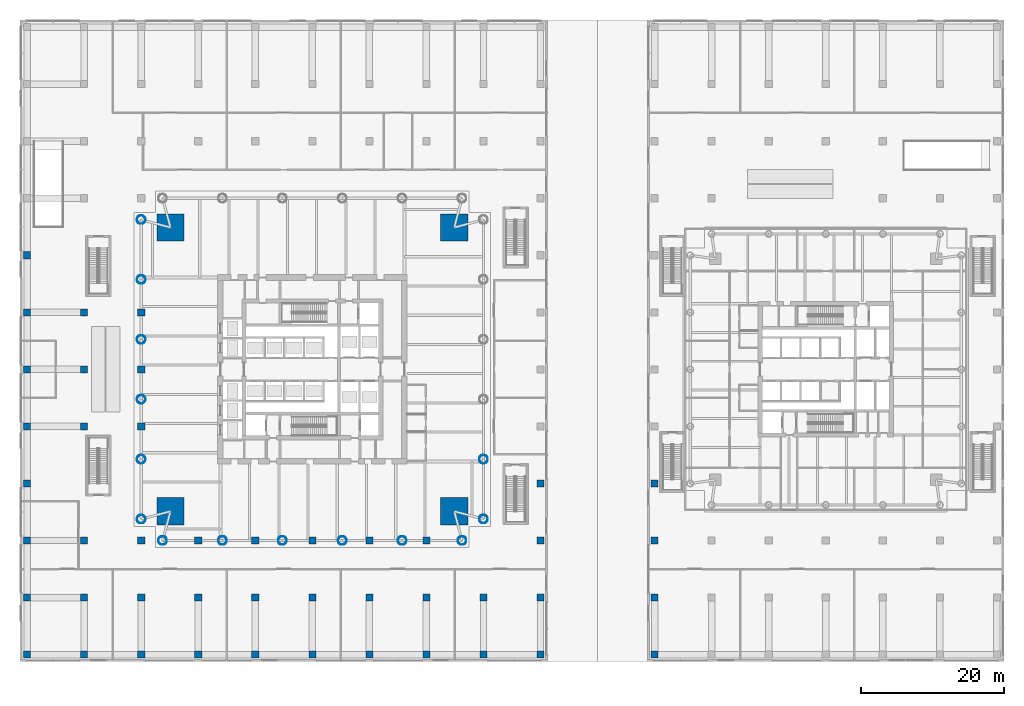
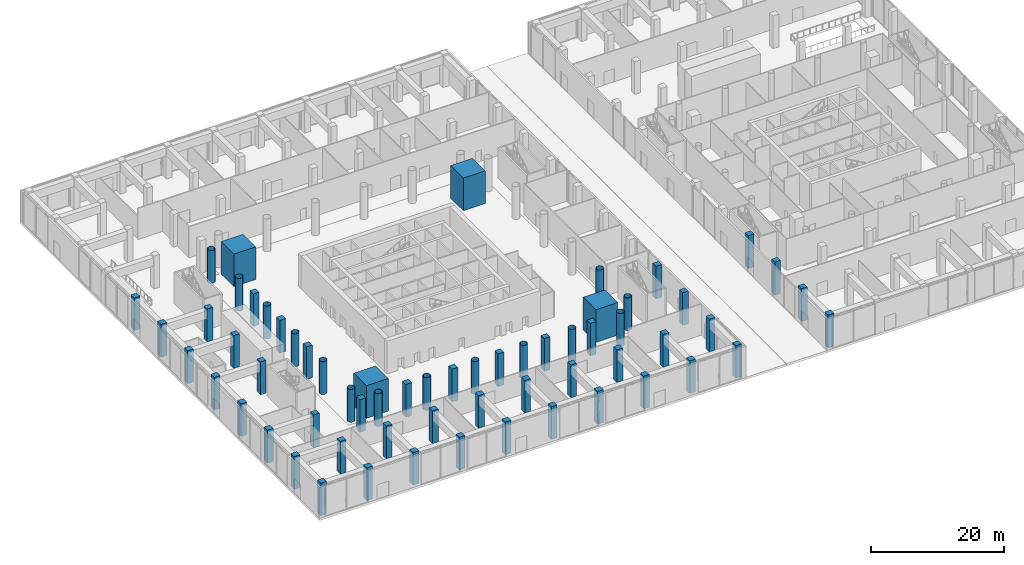
# One storey, part 1 of 39: 63 columns.
"""IFC4 building model written with IfcOpenShell, lengths in metres."""

from ifc_helpers import new_model, si_unit, direction, frame, origin, origin_2d, place, context, subcontext, project, spatial, rectangle, hollow_circle, extrude, material, material_profile, profile_set, type_object, element, save


model = new_model("IFC4")

# Units and contexts
model_context = context("Model", 3, precision=1e-05, world=origin(), true_north=direction((0.0, 1.0)))
body_context = subcontext(model_context, "Body", "Model", "MODEL_VIEW")
ifc_project = project(units=[si_unit("LENGTHUNIT", "METRE"), si_unit("AREAUNIT", "SQUARE_METRE"), si_unit("VOLUMEUNIT", "CUBIC_METRE"), si_unit("PLANEANGLEUNIT", "RADIAN"), si_unit("MASSUNIT", "GRAM", prefix="KILO")], contexts=[model_context])

# Site, building, storey
site_placement = place(None, origin())
site = spatial("IfcSite", under=ifc_project, at=site_placement, CompositionType="ELEMENT")
building_placement = place(site_placement, origin())
building = spatial("IfcBuilding", under=site, at=building_placement, Name="Ostroluk Exchange", CompositionType="ELEMENT")
storey_placement = place(building_placement, origin())
storey = spatial("IfcBuildingStorey", under=building, at=storey_placement, Name="L00", CompositionType="ELEMENT", Elevation=0.0)

# Columns
ifc_material_1 = material(Name="Concrete C50/60", Category="concrete")
ifc_material_profile_1 = material_profile(ifc_material_1, rectangle(XDim=3.800048828125, YDim=3.800048828125, at=origin_2d()), Name="RC 3800x3800")
ifc_profile_set_1 = profile_set([ifc_material_profile_1], Name="Concrete C50/60")
column_type_1 = type_object("IfcColumnType", Name="Mega column RC 3800x3800", PredefinedType="COLUMN", material=ifc_profile_set_1)
for number, where, z_axis, x_axis, name in (
    (1, (64.89990234375, 65.89990234375, 0.0), (0.0, 0.0, 1.0), (1.0, 0.0, 0.0), "T1 mega column NE"),
    (2, (25.10009765625, 65.89990234375, 0.0), (0.0, 0.0, 1.0), (1.0, 0.0, 0.0), "T1 mega column NW"),
    (3, (25.10009765625, 26.10009765625, 0.0), (0.0, 0.0, 1.0), (1.0, 0.0, 0.0), "T1 mega column SW"),
    (4, (64.89990234375, 26.10009765625, 0.0), (0.0, 0.0, 1.0), (1.0, 0.0, 0.0), "T1 mega column SE"),
):
    element("IfcColumn", number, at=place(storey_placement, frame(where, z_axis=z_axis, x_axis=x_axis)), inside=storey, type_object=column_type_1, Name=name, PredefinedType="COLUMN", context=body_context, shape_type="SweptSolid", body=[
        extrude(rectangle(XDim=3.800048828125, YDim=3.800048828125, at=origin_2d()), origin(), (0.0, 0.0, 1.0), 6.0),
    ])
ifc_material_2 = material(Name="Steel S460", Category="steel")
ifc_material_profile_2 = material_profile(ifc_material_2, hollow_circle(Radius=0.609619140625, WallThickness=0.0400390625, at=origin_2d()), Name="CHS 1219x40")
ifc_profile_set_2 = profile_set([ifc_material_profile_2], Name="Steel S460")
column_type_2 = type_object("IfcColumnType", Name="Perimeter column CHS 1219x40", PredefinedType="COLUMN", material=ifc_profile_set_2)
for number, where, z_axis, x_axis, name in (
    (5, (69.0, 25.0, 0.0), (0.0, 0.0, 1.0), (1.0, 0.0, 0.0), "T1 east face column E0"),
    (6, (69.0, 33.39990234375, 0.0), (0.0, 0.0, 1.0), (1.0, 0.0, 0.0), "T1 east face column I1"),
    (7, (21.0, 67.0, 0.0), (0.0, 0.0, 1.0), (1.0, 0.0, 0.0), "T1 west face column E0"),
    (8, (21.0, 25.0, 0.0), (0.0, 0.0, 1.0), (1.0, 0.0, 0.0), "T1 west face column E1"),
    (9, (21.0, 58.60009765625, 0.0), (0.0, 0.0, 1.0), (1.0, 0.0, 0.0), "T1 west face column I1"),
    (10, (21.0, 50.199951171875, 0.0), (0.0, 0.0, 1.0), (1.0, 0.0, 0.0), "T1 west face column I2"),
    (11, (21.0, 41.800048828125, 0.0), (0.0, 0.0, 1.0), (1.0, 0.0, 0.0), "T1 west face column I3"),
    (12, (21.0, 33.39990234375, 0.0), (0.0, 0.0, 1.0), (1.0, 0.0, 0.0), "T1 west face column I4"),
    (13, (24.0, 22.0, 0.0), (0.0, 0.0, 1.0), (1.0, 0.0, 0.0), "T1 south face column E0"),
    (14, (66.0, 22.0, 0.0), (0.0, 0.0, 1.0), (1.0, 0.0, 0.0), "T1 south face column E1"),
    (15, (32.39990234375, 22.0, 0.0), (0.0, 0.0, 1.0), (1.0, 0.0, 0.0), "T1 south face column I1"),
    (16, (40.800048828125, 22.0, 0.0), (0.0, 0.0, 1.0), (1.0, 0.0, 0.0), "T1 south face column I2"),
    (17, (49.199951171875, 22.0, 0.0), (0.0, 0.0, 1.0), (1.0, 0.0, 0.0), "T1 south face column I3"),
    (18, (57.60009765625, 22.0, 0.0), (0.0, 0.0, 1.0), (1.0, 0.0, 0.0), "T1 south face column I4"),
):
    element("IfcColumn", number, at=place(storey_placement, frame(where, z_axis=z_axis, x_axis=x_axis)), inside=storey, type_object=column_type_2, Name=name, PredefinedType="COLUMN", context=body_context, shape_type="SweptSolid", body=[
        extrude(hollow_circle(Radius=0.609619140625, WallThickness=0.0400390625, at=origin_2d()), origin(), (0.0, 0.0, 1.0), 6.0),
    ])
ifc_material_3 = material(Name="Concrete C50/60", Category="concrete")
ifc_material_profile_3 = material_profile(ifc_material_3, rectangle(XDim=1.0, YDim=1.0, at=origin_2d()), Name="RC 1000x1000")
ifc_profile_set_3 = profile_set([ifc_material_profile_3], Name="Concrete C50/60")
column_type_3 = type_object("IfcColumnType", Name="Podium column RC 1000x1000", PredefinedType="COLUMN", material=ifc_profile_set_3)
for number, where, z_axis, x_axis, name in (
    (19, (5.0, 6.0, 0.0), (0.0, 0.0, 1.0), (1.0, 0.0, 0.0), "Podium column 5/6"),
    (20, (5.0, 14.0, 0.0), (0.0, 0.0, 1.0), (1.0, 0.0, 0.0), "Podium column 5/14"),
    (21, (5.0, 22.0, 0.0), (0.0, 0.0, 1.0), (1.0, 0.0, 0.0), "Podium column 5/22"),
    (22, (5.0, 30.0, 0.0), (0.0, 0.0, 1.0), (1.0, 0.0, 0.0), "Podium column 5/30"),
    (23, (5.0, 38.0, 0.0), (0.0, 0.0, 1.0), (1.0, 0.0, 0.0), "Podium column 5/38"),
    (24, (5.0, 46.0, 0.0), (0.0, 0.0, 1.0), (1.0, 0.0, 0.0), "Podium column 5/46"),
    (25, (5.0, 54.0, 0.0), (0.0, 0.0, 1.0), (1.0, 0.0, 0.0), "Podium column 5/54"),
    (26, (5.0, 62.0, 0.0), (0.0, 0.0, 1.0), (1.0, 0.0, 0.0), "Podium column 5/62"),
    (27, (13.0, 6.0, 0.0), (0.0, 0.0, 1.0), (1.0, 0.0, 0.0), "Podium column 13/6"),
    (28, (13.0, 14.0, 0.0), (0.0, 0.0, 1.0), (1.0, 0.0, 0.0), "Podium column 13/14"),
    (29, (13.0, 22.0, 0.0), (0.0, 0.0, 1.0), (1.0, 0.0, 0.0), "Podium column 13/22"),
    (30, (13.0, 38.0, 0.0), (0.0, 0.0, 1.0), (1.0, 0.0, 0.0), "Podium column 13/38"),
    (31, (13.0, 46.0, 0.0), (0.0, 0.0, 1.0), (1.0, 0.0, 0.0), "Podium column 13/46"),
    (32, (13.0, 54.0, 0.0), (0.0, 0.0, 1.0), (1.0, 0.0, 0.0), "Podium column 13/54"),
    (33, (21.0, 6.0, 0.0), (0.0, 0.0, 1.0), (1.0, 0.0, 0.0), "Podium column 21/6"),
    (34, (21.0, 14.0, 0.0), (0.0, 0.0, 1.0), (1.0, 0.0, 0.0), "Podium column 21/14"),
    (35, (29.0, 6.0, 0.0), (0.0, 0.0, 1.0), (1.0, 0.0, 0.0), "Podium column 29/6"),
    (36, (29.0, 14.0, 0.0), (0.0, 0.0, 1.0), (1.0, 0.0, 0.0), "Podium column 29/14"),
    (37, (37.0, 6.0, 0.0), (0.0, 0.0, 1.0), (1.0, 0.0, 0.0), "Podium column 37/6"),
    (38, (37.0, 14.0, 0.0), (0.0, 0.0, 1.0), (1.0, 0.0, 0.0), "Podium column 37/14"),
    (39, (45.0, 6.0, 0.0), (0.0, 0.0, 1.0), (1.0, 0.0, 0.0), "Podium column 45/6"),
    (40, (45.0, 14.0, 0.0), (0.0, 0.0, 1.0), (1.0, 0.0, 0.0), "Podium column 45/14"),
    (41, (53.0, 6.0, 0.0), (0.0, 0.0, 1.0), (1.0, 0.0, 0.0), "Podium column 53/6"),
    (42, (53.0, 14.0, 0.0), (0.0, 0.0, 1.0), (1.0, 0.0, 0.0), "Podium column 53/14"),
    (43, (61.0, 6.0, 0.0), (0.0, 0.0, 1.0), (1.0, 0.0, 0.0), "Podium column 61/6"),
    (44, (61.0, 14.0, 0.0), (0.0, 0.0, 1.0), (1.0, 0.0, 0.0), "Podium column 61/14"),
    (45, (69.0, 6.0, 0.0), (0.0, 0.0, 1.0), (1.0, 0.0, 0.0), "Podium column 69/6"),
    (46, (69.0, 14.0, 0.0), (0.0, 0.0, 1.0), (1.0, 0.0, 0.0), "Podium column 69/14"),
    (47, (77.0, 6.0, 0.0), (0.0, 0.0, 1.0), (1.0, 0.0, 0.0), "Podium column 77/6"),
    (48, (77.0, 14.0, 0.0), (0.0, 0.0, 1.0), (1.0, 0.0, 0.0), "Podium column 77/14"),
    (49, (77.0, 22.0, 0.0), (0.0, 0.0, 1.0), (1.0, 0.0, 0.0), "Podium column 77/22"),
    (50, (77.0, 30.0, 0.0), (0.0, 0.0, 1.0), (1.0, 0.0, 0.0), "Podium column 77/30"),
    (51, (93.0, 6.0, 0.0), (0.0, 0.0, 1.0), (1.0, 0.0, 0.0), "Podium column 93/6"),
    (52, (93.0, 14.0, 0.0), (0.0, 0.0, 1.0), (1.0, 0.0, 0.0), "Podium column 93/14"),
    (53, (93.0, 22.0, 0.0), (0.0, 0.0, 1.0), (1.0, 0.0, 0.0), "Podium column 93/22"),
    (54, (93.0, 30.0, 0.0), (0.0, 0.0, 1.0), (1.0, 0.0, 0.0), "Podium column 93/30"),
    (55, (21.0, 22.0, 0.0), (0.0, 0.0, 1.0), (1.0, 0.0, 0.0), "Podium column 21/22"),
    (56, (29.0, 22.0, 0.0), (0.0, 0.0, 1.0), (1.0, 0.0, 0.0), "Podium column 29/22"),
    (57, (37.0, 22.0, 0.0), (0.0, 0.0, 1.0), (1.0, 0.0, 0.0), "Podium column 37/22"),
    (58, (45.0, 22.0, 0.0), (0.0, 0.0, 1.0), (1.0, 0.0, 0.0), "Podium column 45/22"),
    (59, (53.0, 22.0, 0.0), (0.0, 0.0, 1.0), (1.0, 0.0, 0.0), "Podium column 53/22"),
    (60, (61.0, 22.0, 0.0), (0.0, 0.0, 1.0), (1.0, 0.0, 0.0), "Podium column 61/22"),
    (61, (21.0, 38.0, 0.0), (0.0, 0.0, 1.0), (1.0, 0.0, 0.0), "Podium column 21/38"),
    (62, (21.0, 46.0, 0.0), (0.0, 0.0, 1.0), (1.0, 0.0, 0.0), "Podium column 21/46"),
    (63, (21.0, 54.0, 0.0), (0.0, 0.0, 1.0), (1.0, 0.0, 0.0), "Podium column 21/54"),
):
    element("IfcColumn", number, at=place(storey_placement, frame(where, z_axis=z_axis, x_axis=x_axis)), inside=storey, type_object=column_type_3, Name=name, PredefinedType="COLUMN", context=body_context, shape_type="SweptSolid", body=[
        extrude(rectangle(XDim=1.0, YDim=1.0, at=origin_2d()), origin(), (0.0, 0.0, 1.0), 6.0),
    ])

save(model, "model.ifc")
